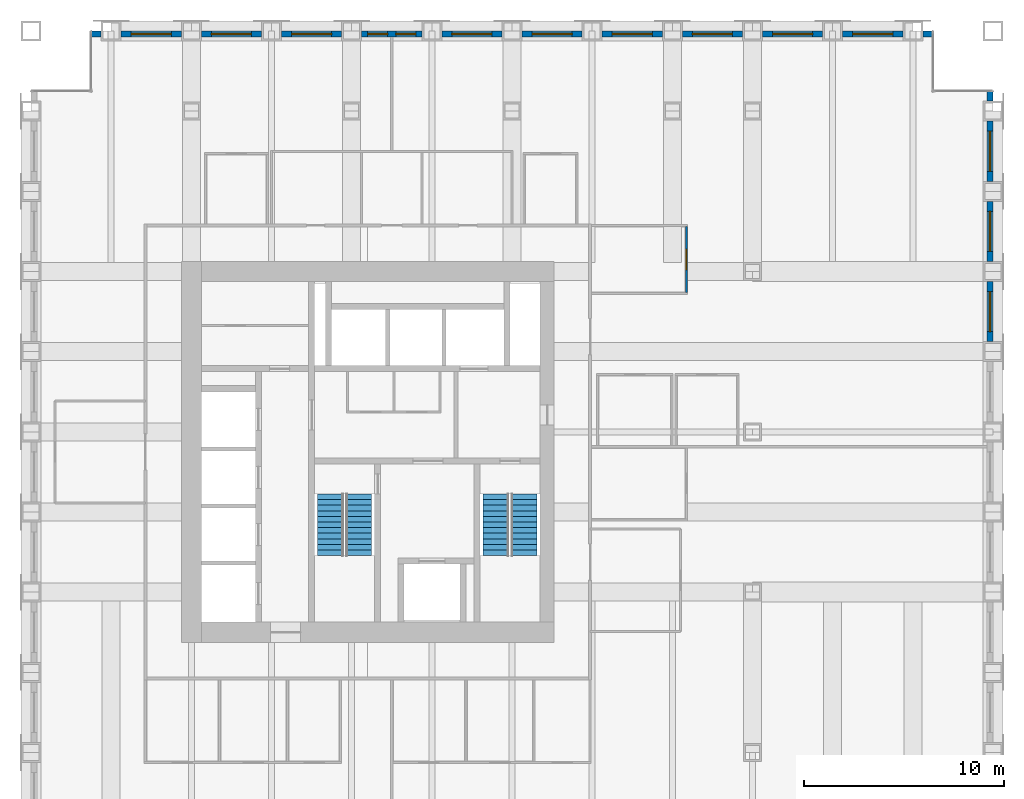
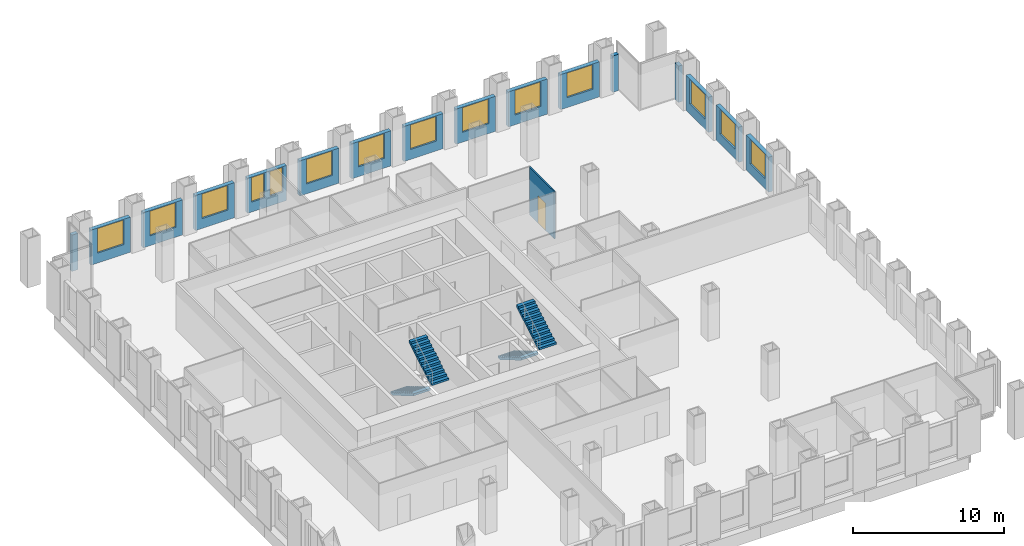
# One storey, part 14 of 16: 17 walls, 14 windows, 4 stair flights, 1 door, 15 openings, 2 elements without a shape of their own.
"""IFC4 building model written with IfcOpenShell, lengths in metres."""

from ifc_helpers import new_model, si_unit, direction, frame, frame_2d, origin, place, context, subcontext, project, spatial, polyline, rectangle, outline, extrude, material, layer, layer_set, type_object, element, fill, aggregate, save


model = new_model("IFC4")

# Units and contexts
model_context = context("Model", 3, precision=1e-05, world=origin(), true_north=direction((0.0, 1.0)))
body_context = subcontext(model_context, "Body", "Model", "MODEL_VIEW")
ifc_project = project(units=[si_unit("LENGTHUNIT", "METRE"), si_unit("AREAUNIT", "SQUARE_METRE"), si_unit("VOLUMEUNIT", "CUBIC_METRE"), si_unit("PLANEANGLEUNIT", "RADIAN"), si_unit("MASSUNIT", "GRAM", prefix="KILO")], contexts=[model_context])

# Site, building, storey
site_placement = place(None, origin())
site = spatial("IfcSite", under=ifc_project, at=site_placement, CompositionType="ELEMENT")
building_placement = place(site_placement, origin())
building = spatial("IfcBuilding", under=site, at=building_placement, Name="Rimbunsela Tower", CompositionType="ELEMENT")
storey_placement = place(building_placement, frame((0.0, 0.0, 93.39990234375)))
storey = spatial("IfcBuildingStorey", under=building, at=storey_placement, Name="L22", CompositionType="ELEMENT", Elevation=93.39990234375)

# Wall, opening, door
ifc_material_1 = material(Name="Gypsum board on steel studs", Category="steel")
ifc_layer_1 = layer(ifc_material_1, 0.10009765625)
ifc_layer_set_1 = layer_set([ifc_layer_1], Name="Office partition 100")
wall_type_1 = type_object("IfcWallType", Name="Office partition 100", PredefinedType="PARTITIONING", material=ifc_layer_set_1)
wall_1_placement = place(storey_placement, frame((42.699951171875, 34.949951171875, 0.0), z_axis=(0.0, 0.0, 1.0), x_axis=(0.0, 1.0, 0.0)))
wall_1 = element("IfcWall", 1, at=wall_1_placement, inside=storey, type_object=wall_type_1, Name="Office partition", PredefinedType="PARTITIONING", context=body_context, shape_type="SweptSolid", body=[
    extrude(rectangle(XDim=3.300048828125, YDim=0.10009765625, at=frame_2d((1.64990234375, 0.0))), origin(), (0.0, 0.0, 1.0), 3.85009765625),
])
opening_1_placement = place(wall_1_placement, frame((1.14990234375, 0.0, 0.0)))
opening_1 = element("IfcOpeningElement", 2, at=opening_1_placement, cuts=wall_1, Name="Opening D16", PredefinedType="OPENING", context=body_context, shape_type="SweptSolid", body=[
    extrude(rectangle(XDim=1.0, YDim=2.199951171875, at=frame_2d((0.5, 1.10009765625))), frame((0.0, 0.06005859375, 0.0), z_axis=(0.0, -1.0, 0.0), x_axis=(1.0, 0.0, 0.0)), (0.0, 0.0, 1.0), 0.1201171875),
])
ifc_material_2 = material(Name="Timber door", Category="wood")
door_type = type_object("IfcDoorType", Name="Office door 1000", OperationType="SINGLE_SWING_LEFT", PredefinedType="DOOR", material=ifc_material_2)
door_placement = place(opening_1_placement, origin())
door = element("IfcDoor", 3, at=door_placement, inside=storey, type_object=door_type, Name="Office door", OperationType="SINGLE_SWING_LEFT", OverallHeight=2.199951171875, OverallWidth=1.0, PredefinedType="DOOR", context=body_context, shape_type="SweptSolid", body=[
    extrude(rectangle(XDim=1.0, YDim=2.199951171875, at=frame_2d((0.5, 1.10009765625))), frame((0.0, 0.02490234375, 0.0), z_axis=(0.0, -1.0, 0.0), x_axis=(1.0, 0.0, 0.0)), (0.0, 0.0, 1.0), 0.050048828125),
])
fill(opening_1, door)

# Wall, opening, window
ifc_material_3 = material(Name="Precast concrete fc' 35 MPa", Category="concrete")
ifc_layer_2 = layer(ifc_material_3, 0.300048828125)
ifc_layer_set_2 = layer_set([ifc_layer_2], Name="Precast concrete fc' 35 MPa")
wall_type_2 = type_object("IfcWallType", Name="Precast facade panel 300", PredefinedType="ELEMENTEDWALL", material=ifc_layer_set_2)
wall_2_placement = place(storey_placement, frame((57.85009765625, 32.5, 0.0), z_axis=(0.0, 0.0, 1.0), x_axis=(0.0, 1.0, 0.0)))
wall_2 = element("IfcWall", 4, at=wall_2_placement, inside=storey, type_object=wall_type_2, Name="Facade panel E L22", PredefinedType="ELEMENTEDWALL", context=body_context, shape_type="SweptSolid", body=[
    extrude(rectangle(XDim=3.0, YDim=0.300048828125, at=frame_2d((1.5, 0.0))), origin(), (0.0, 0.0, 1.0), 2.85009765625),
])
opening_2_placement = place(wall_2_placement, frame((0.5, 0.0, 0.800048828125)))
opening_2 = element("IfcOpeningElement", 5, at=opening_2_placement, cuts=wall_2, Name="Opening W1", PredefinedType="OPENING", context=body_context, shape_type="SweptSolid", body=[
    extrude(rectangle(XDim=2.0, YDim=2.0, at=frame_2d((1.0, 1.0))), frame((0.0, 0.159912109375, 0.0), z_axis=(0.0, -1.0, 0.0), x_axis=(1.0, 0.0, 0.0)), (0.0, 0.0, 1.0), 0.320068359375),
])
ifc_material_4 = material(Name="Clear glass in aluminium frame", Category="aluminium")
window_type_1 = type_object("IfcWindowType", Name="Window W1 2000x2000", PartitioningType="DOUBLE_PANEL_VERTICAL", PredefinedType="WINDOW", material=ifc_material_4)
window_1_placement = place(opening_2_placement, origin())
window_1 = element("IfcWindow", 6, at=window_1_placement, inside=storey, type_object=window_type_1, Name="Window L22", OverallHeight=2.0, OverallWidth=2.0, PartitioningType="SINGLE_PANEL", PredefinedType="WINDOW", context=body_context, shape_type="SweptSolid", body=[
    extrude(rectangle(XDim=2.0, YDim=2.0, at=frame_2d((1.0, 1.0))), frame((0.0, 0.030029296875, 0.0), z_axis=(0.0, -1.0, 0.0), x_axis=(1.0, 0.0, 0.0)), (0.0, 0.0, 1.0), 0.06005859375),
])
fill(opening_2, window_1)

wall_3_placement = place(storey_placement, frame((57.85009765625, 36.5, 0.0), z_axis=(0.0, 0.0, 1.0), x_axis=(0.0, 1.0, 0.0)))
wall_3 = element("IfcWall", 7, at=wall_3_placement, inside=storey, type_object=wall_type_2, Name="Facade panel E L22", PredefinedType="ELEMENTEDWALL", context=body_context, shape_type="SweptSolid", body=[
    extrude(rectangle(XDim=3.0, YDim=0.300048828125, at=frame_2d((1.5, 0.0))), origin(), (0.0, 0.0, 1.0), 2.85009765625),
])
opening_3_placement = place(wall_3_placement, frame((0.5, 0.0, 0.800048828125)))
opening_3 = element("IfcOpeningElement", 8, at=opening_3_placement, cuts=wall_3, Name="Opening W1", PredefinedType="OPENING", context=body_context, shape_type="SweptSolid", body=[
    extrude(rectangle(XDim=2.0, YDim=2.0, at=frame_2d((1.0, 1.0))), frame((0.0, 0.159912109375, 0.0), z_axis=(0.0, -1.0, 0.0), x_axis=(1.0, 0.0, 0.0)), (0.0, 0.0, 1.0), 0.320068359375),
])
window_2_placement = place(opening_3_placement, origin())
window_2 = element("IfcWindow", 9, at=window_2_placement, inside=storey, type_object=window_type_1, Name="Window L22", OverallHeight=2.0, OverallWidth=2.0, PartitioningType="SINGLE_PANEL", PredefinedType="WINDOW", context=body_context, shape_type="SweptSolid", body=[
    extrude(rectangle(XDim=2.0, YDim=2.0, at=frame_2d((1.0, 1.0))), frame((0.0, 0.030029296875, 0.0), z_axis=(0.0, -1.0, 0.0), x_axis=(1.0, 0.0, 0.0)), (0.0, 0.0, 1.0), 0.06005859375),
])
fill(opening_3, window_2)

wall_4_placement = place(storey_placement, frame((57.85009765625, 40.5, 0.0), z_axis=(0.0, 0.0, 1.0), x_axis=(0.0, 1.0, 0.0)))
wall_4 = element("IfcWall", 10, at=wall_4_placement, inside=storey, type_object=wall_type_2, Name="Facade panel E L22", PredefinedType="ELEMENTEDWALL", context=body_context, shape_type="SweptSolid", body=[
    extrude(rectangle(XDim=3.0, YDim=0.300048828125, at=frame_2d((1.5, 0.0))), origin(), (0.0, 0.0, 1.0), 2.85009765625),
])
opening_4_placement = place(wall_4_placement, frame((0.5, 0.0, 0.800048828125)))
opening_4 = element("IfcOpeningElement", 11, at=opening_4_placement, cuts=wall_4, Name="Opening W1", PredefinedType="OPENING", context=body_context, shape_type="SweptSolid", body=[
    extrude(rectangle(XDim=2.0, YDim=2.0, at=frame_2d((1.0, 1.0))), frame((0.0, 0.159912109375, 0.0), z_axis=(0.0, -1.0, 0.0), x_axis=(1.0, 0.0, 0.0)), (0.0, 0.0, 1.0), 0.320068359375),
])
window_3_placement = place(opening_4_placement, origin())
window_3 = element("IfcWindow", 12, at=window_3_placement, inside=storey, type_object=window_type_1, Name="Window L22", OverallHeight=2.0, OverallWidth=2.0, PartitioningType="SINGLE_PANEL", PredefinedType="WINDOW", context=body_context, shape_type="SweptSolid", body=[
    extrude(rectangle(XDim=2.0, YDim=2.0, at=frame_2d((1.0, 1.0))), frame((0.0, 0.030029296875, 0.0), z_axis=(0.0, -1.0, 0.0), x_axis=(1.0, 0.0, 0.0)), (0.0, 0.0, 1.0), 0.06005859375),
])
fill(opening_4, window_3)

# Walls
for number, where, z_axis, x_axis, name in (
    (13, (57.85009765625, 44.5, 0.0), (0.0, 0.0, 1.0), (0.0, 1.0, 0.0), "Facade panel E L22"),
    (14, (13.5, 47.85009765625, 0.0), (0.0, 0.0, 1.0), (-1.0, 0.0, 0.0), "Facade panel N L22"),
):
    element("IfcWall", number, at=place(storey_placement, frame(where, z_axis=z_axis, x_axis=x_axis)), inside=storey, type_object=wall_type_2, Name=name, PredefinedType="ELEMENTEDWALL", context=body_context, shape_type="SweptSolid", body=[
        extrude(rectangle(XDim=0.469970703125, YDim=0.300048828125, at=frame_2d((0.23486328125, 0.0))), origin(), (0.0, 0.0, 1.0), 2.9501953125),
    ])

# Wall, opening, window
wall_5_placement = place(storey_placement, frame((17.5, 47.85009765625, 0.0), z_axis=(0.0, 0.0, 1.0), x_axis=(-1.0, 0.0, 0.0)))
wall_5 = element("IfcWall", 15, at=wall_5_placement, inside=storey, type_object=wall_type_2, Name="Facade panel N L22", PredefinedType="ELEMENTEDWALL", context=body_context, shape_type="SweptSolid", body=[
    extrude(rectangle(XDim=3.0, YDim=0.300048828125, at=frame_2d((1.5, 0.0))), origin(), (0.0, 0.0, 1.0), 2.85009765625),
])
opening_5_placement = place(wall_5_placement, frame((0.5, 0.0, 0.800048828125)))
opening_5 = element("IfcOpeningElement", 16, at=opening_5_placement, cuts=wall_5, Name="Opening W1", PredefinedType="OPENING", context=body_context, shape_type="SweptSolid", body=[
    extrude(rectangle(XDim=2.0, YDim=2.0, at=frame_2d((1.0, 1.0))), frame((0.0, 0.159912109375, 0.0), z_axis=(0.0, -1.0, 0.0), x_axis=(1.0, 0.0, 0.0)), (0.0, 0.0, 1.0), 0.320068359375),
])
window_4_placement = place(opening_5_placement, origin())
window_4 = element("IfcWindow", 17, at=window_4_placement, inside=storey, type_object=window_type_1, Name="Window L22", OverallHeight=2.0, OverallWidth=2.0, PartitioningType="SINGLE_PANEL", PredefinedType="WINDOW", context=body_context, shape_type="SweptSolid", body=[
    extrude(rectangle(XDim=2.0, YDim=2.0, at=frame_2d((1.0, 1.0))), frame((0.0, 0.030029296875, 0.0), z_axis=(0.0, -1.0, 0.0), x_axis=(1.0, 0.0, 0.0)), (0.0, 0.0, 1.0), 0.06005859375),
])
fill(opening_5, window_4)

wall_6_placement = place(storey_placement, frame((21.5, 47.85009765625, 0.0), z_axis=(0.0, 0.0, 1.0), x_axis=(-1.0, 0.0, 0.0)))
wall_6 = element("IfcWall", 18, at=wall_6_placement, inside=storey, type_object=wall_type_2, Name="Facade panel N L22", PredefinedType="ELEMENTEDWALL", context=body_context, shape_type="SweptSolid", body=[
    extrude(rectangle(XDim=3.0, YDim=0.300048828125, at=frame_2d((1.5, 0.0))), origin(), (0.0, 0.0, 1.0), 2.85009765625),
])
opening_6_placement = place(wall_6_placement, frame((0.5, 0.0, 0.800048828125)))
opening_6 = element("IfcOpeningElement", 19, at=opening_6_placement, cuts=wall_6, Name="Opening W1", PredefinedType="OPENING", context=body_context, shape_type="SweptSolid", body=[
    extrude(rectangle(XDim=2.0, YDim=2.0, at=frame_2d((1.0, 1.0))), frame((0.0, 0.159912109375, 0.0), z_axis=(0.0, -1.0, 0.0), x_axis=(1.0, 0.0, 0.0)), (0.0, 0.0, 1.0), 0.320068359375),
])
window_5_placement = place(opening_6_placement, origin())
window_5 = element("IfcWindow", 20, at=window_5_placement, inside=storey, type_object=window_type_1, Name="Window L22", OverallHeight=2.0, OverallWidth=2.0, PartitioningType="SINGLE_PANEL", PredefinedType="WINDOW", context=body_context, shape_type="SweptSolid", body=[
    extrude(rectangle(XDim=2.0, YDim=2.0, at=frame_2d((1.0, 1.0))), frame((0.0, 0.030029296875, 0.0), z_axis=(0.0, -1.0, 0.0), x_axis=(1.0, 0.0, 0.0)), (0.0, 0.0, 1.0), 0.06005859375),
])
fill(opening_6, window_5)

wall_7_placement = place(storey_placement, frame((25.5, 47.85009765625, 0.0), z_axis=(0.0, 0.0, 1.0), x_axis=(-1.0, 0.0, 0.0)))
wall_7 = element("IfcWall", 21, at=wall_7_placement, inside=storey, type_object=wall_type_2, Name="Facade panel N L22", PredefinedType="ELEMENTEDWALL", context=body_context, shape_type="SweptSolid", body=[
    extrude(rectangle(XDim=3.0, YDim=0.300048828125, at=frame_2d((1.5, 0.0))), origin(), (0.0, 0.0, 1.0), 2.85009765625),
])
opening_7_placement = place(wall_7_placement, frame((0.5, 0.0, 0.800048828125)))
opening_7 = element("IfcOpeningElement", 22, at=opening_7_placement, cuts=wall_7, Name="Opening W1", PredefinedType="OPENING", context=body_context, shape_type="SweptSolid", body=[
    extrude(rectangle(XDim=2.0, YDim=2.0, at=frame_2d((1.0, 1.0))), frame((0.0, 0.159912109375, 0.0), z_axis=(0.0, -1.0, 0.0), x_axis=(1.0, 0.0, 0.0)), (0.0, 0.0, 1.0), 0.320068359375),
])
window_6_placement = place(opening_7_placement, origin())
window_6 = element("IfcWindow", 23, at=window_6_placement, inside=storey, type_object=window_type_1, Name="Window L22", OverallHeight=2.0, OverallWidth=2.0, PartitioningType="SINGLE_PANEL", PredefinedType="WINDOW", context=body_context, shape_type="SweptSolid", body=[
    extrude(rectangle(XDim=2.0, YDim=2.0, at=frame_2d((1.0, 1.0))), frame((0.0, 0.030029296875, 0.0), z_axis=(0.0, -1.0, 0.0), x_axis=(1.0, 0.0, 0.0)), (0.0, 0.0, 1.0), 0.06005859375),
])
fill(opening_7, window_6)

# Wall, openings, windows
wall_8_placement = place(storey_placement, frame((29.5, 47.85009765625, 0.0), z_axis=(0.0, 0.0, 1.0), x_axis=(-1.0, 0.0, 0.0)))
wall_8 = element("IfcWall", 24, at=wall_8_placement, inside=storey, type_object=wall_type_2, Name="Facade panel N L22", PredefinedType="ELEMENTEDWALL", context=body_context, shape_type="SweptSolid", body=[
    extrude(rectangle(XDim=3.0, YDim=0.300048828125, at=frame_2d((1.5, 0.0))), origin(), (0.0, 0.0, 1.0), 2.85009765625),
])
opening_8_placement = place(wall_8_placement, frame((1.699951171875, 0.0, 0.800048828125)))
opening_8 = element("IfcOpeningElement", 25, at=opening_8_placement, cuts=wall_8, Name="Opening W5", PredefinedType="OPENING", context=body_context, shape_type="SweptSolid", body=[
    extrude(rectangle(XDim=1.0, YDim=2.0, at=frame_2d((0.5, 1.0))), frame((0.0, 0.159912109375, 0.0), z_axis=(0.0, -1.0, 0.0), x_axis=(1.0, 0.0, 0.0)), (0.0, 0.0, 1.0), 0.320068359375),
])
opening_9_placement = place(wall_8_placement, frame((0.300048828125, 0.0, 0.800048828125)))
opening_9 = element("IfcOpeningElement", 26, at=opening_9_placement, cuts=wall_8, Name="Opening W5", PredefinedType="OPENING", context=body_context, shape_type="SweptSolid", body=[
    extrude(rectangle(XDim=1.0, YDim=2.0, at=frame_2d((0.5, 1.0))), frame((0.0, 0.159912109375, 0.0), z_axis=(0.0, -1.0, 0.0), x_axis=(1.0, 0.0, 0.0)), (0.0, 0.0, 1.0), 0.320068359375),
])
ifc_material_5 = material(Name="Clear glass in aluminium frame", Category="aluminium")
window_type_2 = type_object("IfcWindowType", Name="Window W5 1000x2000", PartitioningType="SINGLE_PANEL", PredefinedType="WINDOW", material=ifc_material_5)
window_7_placement = place(opening_8_placement, origin())
window_7 = element("IfcWindow", 27, at=window_7_placement, inside=storey, type_object=window_type_2, Name="Window L22", OverallHeight=2.0, OverallWidth=1.0, PartitioningType="SINGLE_PANEL", PredefinedType="WINDOW", context=body_context, shape_type="SweptSolid", body=[
    extrude(rectangle(XDim=1.0, YDim=2.0, at=frame_2d((0.5, 1.0))), frame((0.0, 0.030029296875, 0.0), z_axis=(0.0, -1.0, 0.0), x_axis=(1.0, 0.0, 0.0)), (0.0, 0.0, 1.0), 0.06005859375),
])
fill(opening_8, window_7)
window_8_placement = place(opening_9_placement, origin())
window_8 = element("IfcWindow", 28, at=window_8_placement, inside=storey, type_object=window_type_2, Name="Window L22", OverallHeight=2.0, OverallWidth=1.0, PartitioningType="SINGLE_PANEL", PredefinedType="WINDOW", context=body_context, shape_type="SweptSolid", body=[
    extrude(rectangle(XDim=1.0, YDim=2.0, at=frame_2d((0.5, 1.0))), frame((0.0, 0.030029296875, 0.0), z_axis=(0.0, -1.0, 0.0), x_axis=(1.0, 0.0, 0.0)), (0.0, 0.0, 1.0), 0.06005859375),
])
fill(opening_9, window_8)

# Wall, opening, window
wall_9_placement = place(storey_placement, frame((33.5, 47.85009765625, 0.0), z_axis=(0.0, 0.0, 1.0), x_axis=(-1.0, 0.0, 0.0)))
wall_9 = element("IfcWall", 29, at=wall_9_placement, inside=storey, type_object=wall_type_2, Name="Facade panel N L22", PredefinedType="ELEMENTEDWALL", context=body_context, shape_type="SweptSolid", body=[
    extrude(rectangle(XDim=3.0, YDim=0.300048828125, at=frame_2d((1.5, 0.0))), origin(), (0.0, 0.0, 1.0), 2.85009765625),
])
opening_10_placement = place(wall_9_placement, frame((0.5, 0.0, 0.800048828125)))
opening_10 = element("IfcOpeningElement", 30, at=opening_10_placement, cuts=wall_9, Name="Opening W1", PredefinedType="OPENING", context=body_context, shape_type="SweptSolid", body=[
    extrude(rectangle(XDim=2.0, YDim=2.0, at=frame_2d((1.0, 1.0))), frame((0.0, 0.159912109375, 0.0), z_axis=(0.0, -1.0, 0.0), x_axis=(1.0, 0.0, 0.0)), (0.0, 0.0, 1.0), 0.320068359375),
])
window_9_placement = place(opening_10_placement, origin())
window_9 = element("IfcWindow", 31, at=window_9_placement, inside=storey, type_object=window_type_1, Name="Window L22", OverallHeight=2.0, OverallWidth=2.0, PartitioningType="SINGLE_PANEL", PredefinedType="WINDOW", context=body_context, shape_type="SweptSolid", body=[
    extrude(rectangle(XDim=2.0, YDim=2.0, at=frame_2d((1.0, 1.0))), frame((0.0, 0.030029296875, 0.0), z_axis=(0.0, -1.0, 0.0), x_axis=(1.0, 0.0, 0.0)), (0.0, 0.0, 1.0), 0.06005859375),
])
fill(opening_10, window_9)

wall_10_placement = place(storey_placement, frame((37.5, 47.85009765625, 0.0), z_axis=(0.0, 0.0, 1.0), x_axis=(-1.0, 0.0, 0.0)))
wall_10 = element("IfcWall", 32, at=wall_10_placement, inside=storey, type_object=wall_type_2, Name="Facade panel N L22", PredefinedType="ELEMENTEDWALL", context=body_context, shape_type="SweptSolid", body=[
    extrude(rectangle(XDim=3.0, YDim=0.300048828125, at=frame_2d((1.5, 0.0))), origin(), (0.0, 0.0, 1.0), 2.85009765625),
])
opening_11_placement = place(wall_10_placement, frame((0.5, 0.0, 0.800048828125)))
opening_11 = element("IfcOpeningElement", 33, at=opening_11_placement, cuts=wall_10, Name="Opening W1", PredefinedType="OPENING", context=body_context, shape_type="SweptSolid", body=[
    extrude(rectangle(XDim=2.0, YDim=2.0, at=frame_2d((1.0, 1.0))), frame((0.0, 0.159912109375, 0.0), z_axis=(0.0, -1.0, 0.0), x_axis=(1.0, 0.0, 0.0)), (0.0, 0.0, 1.0), 0.320068359375),
])
window_10_placement = place(opening_11_placement, origin())
window_10 = element("IfcWindow", 34, at=window_10_placement, inside=storey, type_object=window_type_1, Name="Window L22", OverallHeight=2.0, OverallWidth=2.0, PartitioningType="SINGLE_PANEL", PredefinedType="WINDOW", context=body_context, shape_type="SweptSolid", body=[
    extrude(rectangle(XDim=2.0, YDim=2.0, at=frame_2d((1.0, 1.0))), frame((0.0, 0.030029296875, 0.0), z_axis=(0.0, -1.0, 0.0), x_axis=(1.0, 0.0, 0.0)), (0.0, 0.0, 1.0), 0.06005859375),
])
fill(opening_11, window_10)

wall_11_placement = place(storey_placement, frame((41.5, 47.85009765625, 0.0), z_axis=(0.0, 0.0, 1.0), x_axis=(-1.0, 0.0, 0.0)))
wall_11 = element("IfcWall", 35, at=wall_11_placement, inside=storey, type_object=wall_type_2, Name="Facade panel N L22", PredefinedType="ELEMENTEDWALL", context=body_context, shape_type="SweptSolid", body=[
    extrude(rectangle(XDim=3.0, YDim=0.300048828125, at=frame_2d((1.5, 0.0))), origin(), (0.0, 0.0, 1.0), 2.85009765625),
])
opening_12_placement = place(wall_11_placement, frame((0.5, 0.0, 0.800048828125)))
opening_12 = element("IfcOpeningElement", 36, at=opening_12_placement, cuts=wall_11, Name="Opening W1", PredefinedType="OPENING", context=body_context, shape_type="SweptSolid", body=[
    extrude(rectangle(XDim=2.0, YDim=2.0, at=frame_2d((1.0, 1.0))), frame((0.0, 0.159912109375, 0.0), z_axis=(0.0, -1.0, 0.0), x_axis=(1.0, 0.0, 0.0)), (0.0, 0.0, 1.0), 0.320068359375),
])
window_11_placement = place(opening_12_placement, origin())
window_11 = element("IfcWindow", 37, at=window_11_placement, inside=storey, type_object=window_type_1, Name="Window L22", OverallHeight=2.0, OverallWidth=2.0, PartitioningType="SINGLE_PANEL", PredefinedType="WINDOW", context=body_context, shape_type="SweptSolid", body=[
    extrude(rectangle(XDim=2.0, YDim=2.0, at=frame_2d((1.0, 1.0))), frame((0.0, 0.030029296875, 0.0), z_axis=(0.0, -1.0, 0.0), x_axis=(1.0, 0.0, 0.0)), (0.0, 0.0, 1.0), 0.06005859375),
])
fill(opening_12, window_11)

wall_12_placement = place(storey_placement, frame((45.5, 47.85009765625, 0.0), z_axis=(0.0, 0.0, 1.0), x_axis=(-1.0, 0.0, 0.0)))
wall_12 = element("IfcWall", 38, at=wall_12_placement, inside=storey, type_object=wall_type_2, Name="Facade panel N L22", PredefinedType="ELEMENTEDWALL", context=body_context, shape_type="SweptSolid", body=[
    extrude(rectangle(XDim=3.0, YDim=0.300048828125, at=frame_2d((1.5, 0.0))), origin(), (0.0, 0.0, 1.0), 2.85009765625),
])
opening_13_placement = place(wall_12_placement, frame((0.5, 0.0, 0.800048828125)))
opening_13 = element("IfcOpeningElement", 39, at=opening_13_placement, cuts=wall_12, Name="Opening W1", PredefinedType="OPENING", context=body_context, shape_type="SweptSolid", body=[
    extrude(rectangle(XDim=2.0, YDim=2.0, at=frame_2d((1.0, 1.0))), frame((0.0, 0.159912109375, 0.0), z_axis=(0.0, -1.0, 0.0), x_axis=(1.0, 0.0, 0.0)), (0.0, 0.0, 1.0), 0.320068359375),
])
window_12_placement = place(opening_13_placement, origin())
window_12 = element("IfcWindow", 40, at=window_12_placement, inside=storey, type_object=window_type_1, Name="Window L22", OverallHeight=2.0, OverallWidth=2.0, PartitioningType="SINGLE_PANEL", PredefinedType="WINDOW", context=body_context, shape_type="SweptSolid", body=[
    extrude(rectangle(XDim=2.0, YDim=2.0, at=frame_2d((1.0, 1.0))), frame((0.0, 0.030029296875, 0.0), z_axis=(0.0, -1.0, 0.0), x_axis=(1.0, 0.0, 0.0)), (0.0, 0.0, 1.0), 0.06005859375),
])
fill(opening_13, window_12)

wall_13_placement = place(storey_placement, frame((49.5, 47.85009765625, 0.0), z_axis=(0.0, 0.0, 1.0), x_axis=(-1.0, 0.0, 0.0)))
wall_13 = element("IfcWall", 41, at=wall_13_placement, inside=storey, type_object=wall_type_2, Name="Facade panel N L22", PredefinedType="ELEMENTEDWALL", context=body_context, shape_type="SweptSolid", body=[
    extrude(rectangle(XDim=3.0, YDim=0.300048828125, at=frame_2d((1.5, 0.0))), origin(), (0.0, 0.0, 1.0), 2.85009765625),
])
opening_14_placement = place(wall_13_placement, frame((0.5, 0.0, 0.800048828125)))
opening_14 = element("IfcOpeningElement", 42, at=opening_14_placement, cuts=wall_13, Name="Opening W1", PredefinedType="OPENING", context=body_context, shape_type="SweptSolid", body=[
    extrude(rectangle(XDim=2.0, YDim=2.0, at=frame_2d((1.0, 1.0))), frame((0.0, 0.159912109375, 0.0), z_axis=(0.0, -1.0, 0.0), x_axis=(1.0, 0.0, 0.0)), (0.0, 0.0, 1.0), 0.320068359375),
])
window_13_placement = place(opening_14_placement, origin())
window_13 = element("IfcWindow", 43, at=window_13_placement, inside=storey, type_object=window_type_1, Name="Window L22", OverallHeight=2.0, OverallWidth=2.0, PartitioningType="SINGLE_PANEL", PredefinedType="WINDOW", context=body_context, shape_type="SweptSolid", body=[
    extrude(rectangle(XDim=2.0, YDim=2.0, at=frame_2d((1.0, 1.0))), frame((0.0, 0.030029296875, 0.0), z_axis=(0.0, -1.0, 0.0), x_axis=(1.0, 0.0, 0.0)), (0.0, 0.0, 1.0), 0.06005859375),
])
fill(opening_14, window_13)

wall_14_placement = place(storey_placement, frame((53.5, 47.85009765625, 0.0), z_axis=(0.0, 0.0, 1.0), x_axis=(-1.0, 0.0, 0.0)))
wall_14 = element("IfcWall", 44, at=wall_14_placement, inside=storey, type_object=wall_type_2, Name="Facade panel N L22", PredefinedType="ELEMENTEDWALL", context=body_context, shape_type="SweptSolid", body=[
    extrude(rectangle(XDim=3.0, YDim=0.300048828125, at=frame_2d((1.5, 0.0))), origin(), (0.0, 0.0, 1.0), 2.85009765625),
])
opening_15_placement = place(wall_14_placement, frame((0.5, 0.0, 0.800048828125)))
opening_15 = element("IfcOpeningElement", 45, at=opening_15_placement, cuts=wall_14, Name="Opening W1", PredefinedType="OPENING", context=body_context, shape_type="SweptSolid", body=[
    extrude(rectangle(XDim=2.0, YDim=2.0, at=frame_2d((1.0, 1.0))), frame((0.0, 0.159912109375, 0.0), z_axis=(0.0, -1.0, 0.0), x_axis=(1.0, 0.0, 0.0)), (0.0, 0.0, 1.0), 0.320068359375),
])
window_14_placement = place(opening_15_placement, origin())
window_14 = element("IfcWindow", 46, at=window_14_placement, inside=storey, type_object=window_type_1, Name="Window L22", OverallHeight=2.0, OverallWidth=2.0, PartitioningType="SINGLE_PANEL", PredefinedType="WINDOW", context=body_context, shape_type="SweptSolid", body=[
    extrude(rectangle(XDim=2.0, YDim=2.0, at=frame_2d((1.0, 1.0))), frame((0.0, 0.030029296875, 0.0), z_axis=(0.0, -1.0, 0.0), x_axis=(1.0, 0.0, 0.0)), (0.0, 0.0, 1.0), 0.06005859375),
])
fill(opening_15, window_14)

# Wall
wall_15_placement = place(storey_placement, frame((54.969970703125, 47.85009765625, 0.0), z_axis=(0.0, 0.0, 1.0), x_axis=(-1.0, 0.0, 0.0)))
element("IfcWall", 47, at=wall_15_placement, inside=storey, type_object=wall_type_2, Name="Facade panel N L22", PredefinedType="ELEMENTEDWALL", context=body_context, shape_type="SweptSolid", body=[
    extrude(rectangle(XDim=0.469970703125, YDim=0.300048828125, at=frame_2d((0.23486328125, 0.0))), origin(), (0.0, 0.0, 1.0), 2.9501953125),
])

# Stair, stair flights
ifc_material_6 = material(Name="Concrete fc' 35 MPa", Category="concrete")
stair_type = type_object("IfcStairType", Name="Exit stair 24 risers", PredefinedType="HALF_TURN_STAIR", material=ifc_material_6)
stair_1_placement = place(storey_placement, origin())
stair_1 = element("IfcStair", 48, at=stair_1_placement, inside=storey, type_object=stair_type, Name="Exit stair A L22", PredefinedType="HALF_TURN_STAIR")
ifc_material_7 = material(Name="Concrete fc' 35 MPa", Category="concrete")
stair_flight_type = type_object("IfcStairFlightType", Name="Stair flight 12 risers 167", PredefinedType="STRAIGHT", material=ifc_material_7)
stair_flight_1_placement = place(storey_placement, frame((24.949951171875, 24.89990234375, 0.0), z_axis=(0.0, 0.0, 1.0), x_axis=(0.0, -1.0, 0.0)))
stair_flight_1 = element("IfcStairFlight", 49, at=stair_flight_1_placement, type_object=stair_flight_type, Name="ST-A flight 1", NumberOfRisers=12, NumberOfTreads=11, PredefinedType="STRAIGHT", RiserHeight=0.166666667, TreadLength=0.28, context=body_context, shape_type="SweptSolid", body=[
    extrude(outline(polyline([(0.0, 0.0), (0.0, 0.166748046875), (0.280029296875, 0.166748046875), (0.280029296875, 0.333251953125), (0.56005859375, 0.333251953125), (0.56005859375, 0.5), (0.840087890625, 0.5), (0.840087890625, 0.666748046875), (1.1201171875, 0.666748046875), (1.1201171875, 0.833251953125), (1.39990234375, 0.833251953125), (1.39990234375, 1.0), (1.679931640625, 1.0), (1.679931640625, 1.166748046875), (1.9599609375, 1.166748046875), (1.9599609375, 1.333251953125), (2.239990234375, 1.333251953125), (2.239990234375, 1.5), (2.52001953125, 1.5), (2.52001953125, 1.666748046875), (2.800048828125, 1.666748046875), (2.800048828125, 1.833251953125), (3.080078125, 1.833251953125), (3.080078125, 2.0), (3.080078125, 1.658935546875), (0.29296875, 0.0), (0.0, 0.0)])), frame((0.0, 0.64990234375, 0.0), z_axis=(0.0, -1.0, 0.0), x_axis=(1.0, 0.0, 0.0)), (0.0, 0.0, 1.0), 1.300048828125),
])
stair_flight_2_placement = place(storey_placement, frame((26.35009765625, 21.820068359375, 2.0), z_axis=(0.0, 0.0, 1.0), x_axis=(0.0, 1.0, 0.0)))
stair_flight_2 = element("IfcStairFlight", 50, at=stair_flight_2_placement, type_object=stair_flight_type, Name="ST-A flight 2", NumberOfRisers=12, NumberOfTreads=11, PredefinedType="STRAIGHT", RiserHeight=0.166666667, TreadLength=0.28, context=body_context, shape_type="SweptSolid", body=[
    extrude(outline(polyline([(0.0, 0.0), (0.0, 0.166748046875), (0.280029296875, 0.166748046875), (0.280029296875, 0.333251953125), (0.56005859375, 0.333251953125), (0.56005859375, 0.5), (0.840087890625, 0.5), (0.840087890625, 0.666748046875), (1.1201171875, 0.666748046875), (1.1201171875, 0.833251953125), (1.39990234375, 0.833251953125), (1.39990234375, 1.0), (1.679931640625, 1.0), (1.679931640625, 1.166748046875), (1.9599609375, 1.166748046875), (1.9599609375, 1.333251953125), (2.239990234375, 1.333251953125), (2.239990234375, 1.5), (2.52001953125, 1.5), (2.52001953125, 1.666748046875), (2.800048828125, 1.666748046875), (2.800048828125, 1.833251953125), (3.080078125, 1.833251953125), (3.080078125, 2.0), (3.080078125, 1.658935546875), (0.29296875, 0.0), (0.0, 0.0)])), frame((0.0, 0.64990234375, 0.0), z_axis=(0.0, -1.0, 0.0), x_axis=(1.0, 0.0, 0.0)), (0.0, 0.0, 1.0), 1.300048828125),
])
aggregate(stair_1, [stair_flight_1, stair_flight_2])

stair_2_placement = place(storey_placement, origin())
stair_2 = element("IfcStair", 51, at=stair_2_placement, inside=storey, type_object=stair_type, Name="Exit stair B L22", PredefinedType="HALF_TURN_STAIR")
stair_flight_3_placement = place(storey_placement, frame((33.199951171875, 24.89990234375, 0.0), z_axis=(0.0, 0.0, 1.0), x_axis=(0.0, -1.0, 0.0)))
stair_flight_3 = element("IfcStairFlight", 52, at=stair_flight_3_placement, type_object=stair_flight_type, Name="ST-B flight 1", NumberOfRisers=12, NumberOfTreads=11, PredefinedType="STRAIGHT", RiserHeight=0.166666667, TreadLength=0.28, context=body_context, shape_type="SweptSolid", body=[
    extrude(outline(polyline([(0.0, 0.0), (0.0, 0.166748046875), (0.280029296875, 0.166748046875), (0.280029296875, 0.333251953125), (0.56005859375, 0.333251953125), (0.56005859375, 0.5), (0.840087890625, 0.5), (0.840087890625, 0.666748046875), (1.1201171875, 0.666748046875), (1.1201171875, 0.833251953125), (1.39990234375, 0.833251953125), (1.39990234375, 1.0), (1.679931640625, 1.0), (1.679931640625, 1.166748046875), (1.9599609375, 1.166748046875), (1.9599609375, 1.333251953125), (2.239990234375, 1.333251953125), (2.239990234375, 1.5), (2.52001953125, 1.5), (2.52001953125, 1.666748046875), (2.800048828125, 1.666748046875), (2.800048828125, 1.833251953125), (3.080078125, 1.833251953125), (3.080078125, 2.0), (3.080078125, 1.658935546875), (0.29296875, 0.0), (0.0, 0.0)])), frame((0.0, 0.64990234375, 0.0), z_axis=(0.0, -1.0, 0.0), x_axis=(1.0, 0.0, 0.0)), (0.0, 0.0, 1.0), 1.300048828125),
])
stair_flight_4_placement = place(storey_placement, frame((34.60009765625, 21.820068359375, 2.0), z_axis=(0.0, 0.0, 1.0), x_axis=(0.0, 1.0, 0.0)))
stair_flight_4 = element("IfcStairFlight", 53, at=stair_flight_4_placement, type_object=stair_flight_type, Name="ST-B flight 2", NumberOfRisers=12, NumberOfTreads=11, PredefinedType="STRAIGHT", RiserHeight=0.166666667, TreadLength=0.28, context=body_context, shape_type="SweptSolid", body=[
    extrude(outline(polyline([(0.0, 0.0), (0.0, 0.166748046875), (0.280029296875, 0.166748046875), (0.280029296875, 0.333251953125), (0.56005859375, 0.333251953125), (0.56005859375, 0.5), (0.840087890625, 0.5), (0.840087890625, 0.666748046875), (1.1201171875, 0.666748046875), (1.1201171875, 0.833251953125), (1.39990234375, 0.833251953125), (1.39990234375, 1.0), (1.679931640625, 1.0), (1.679931640625, 1.166748046875), (1.9599609375, 1.166748046875), (1.9599609375, 1.333251953125), (2.239990234375, 1.333251953125), (2.239990234375, 1.5), (2.52001953125, 1.5), (2.52001953125, 1.666748046875), (2.800048828125, 1.666748046875), (2.800048828125, 1.833251953125), (3.080078125, 1.833251953125), (3.080078125, 2.0), (3.080078125, 1.658935546875), (0.29296875, 0.0), (0.0, 0.0)])), frame((0.0, 0.64990234375, 0.0), z_axis=(0.0, -1.0, 0.0), x_axis=(1.0, 0.0, 0.0)), (0.0, 0.0, 1.0), 1.300048828125),
])
aggregate(stair_2, [stair_flight_3, stair_flight_4])

save(model, "model.ifc")
